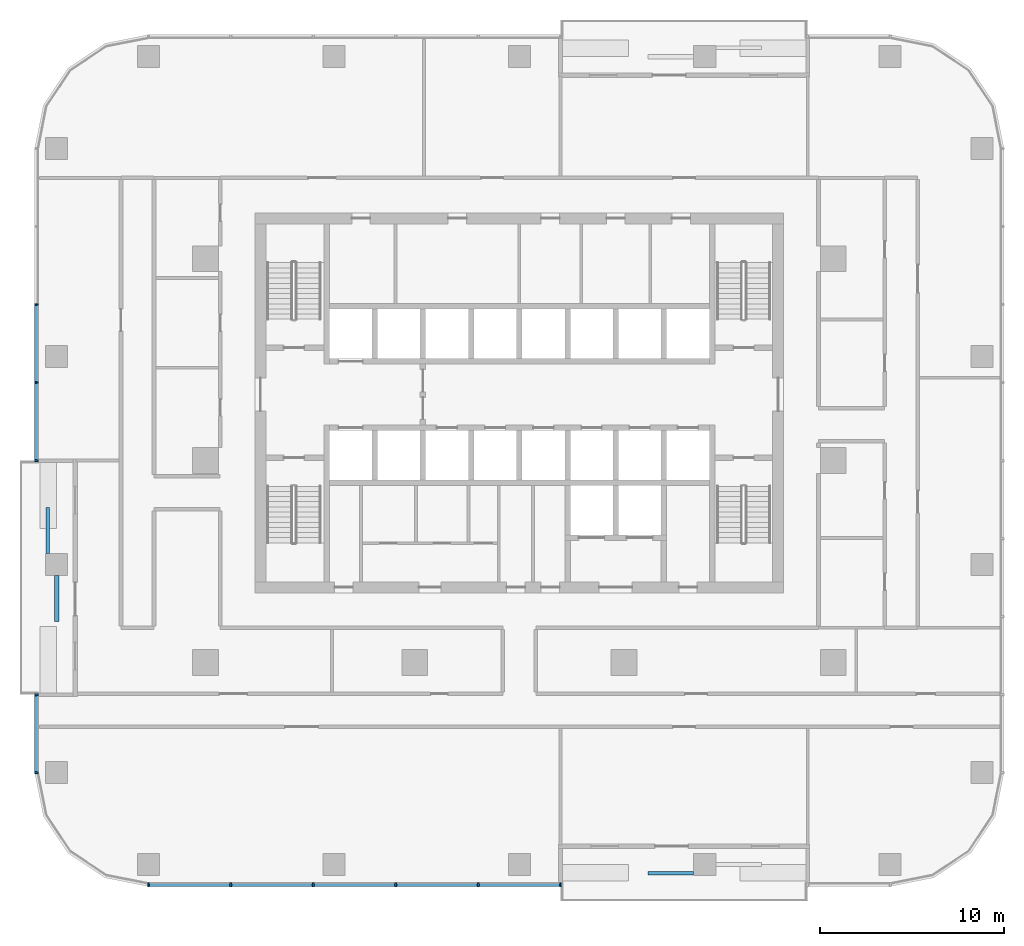
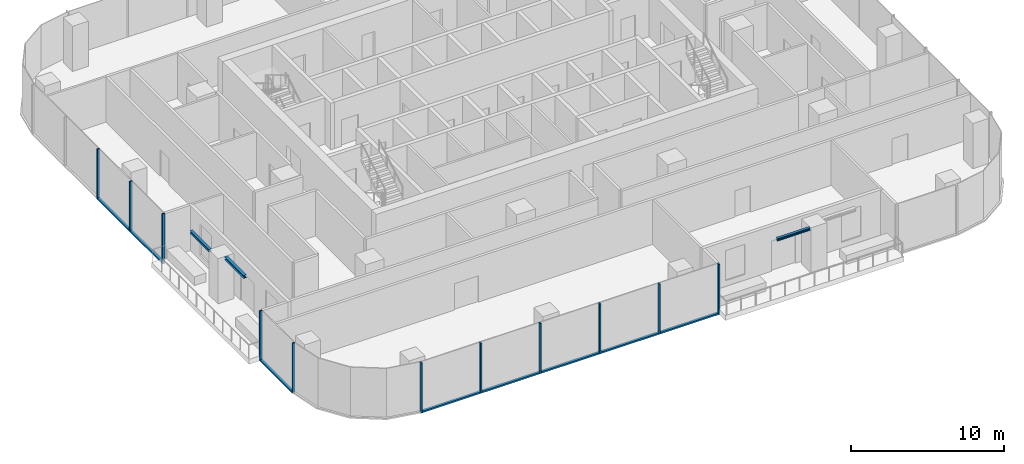
# One storey, part 2 of 14: 19 members, 3 beams, 3 elements without a shape of their own.
"""IFC4 building model written with IfcOpenShell, lengths in metres."""

from ifc_helpers import new_model, si_unit, direction, frame, origin, origin_2d, place, context, subcontext, project, spatial, rectangle, i_section, extrude, material, material_profile, profile_set, type_object, element, aggregate, save


model = new_model("IFC4")

# Units and contexts
model_context = context("Model", 3, precision=1e-05, world=origin(), true_north=direction((0.0, 1.0)))
body_context = subcontext(model_context, "Body", "Model", "MODEL_VIEW")
ifc_project = project(units=[si_unit("LENGTHUNIT", "METRE"), si_unit("AREAUNIT", "SQUARE_METRE"), si_unit("VOLUMEUNIT", "CUBIC_METRE"), si_unit("PLANEANGLEUNIT", "RADIAN"), si_unit("MASSUNIT", "GRAM", prefix="KILO")], contexts=[model_context])

# Site, building, storey
site_placement = place(None, origin())
site = spatial("IfcSite", under=ifc_project, at=site_placement, CompositionType="ELEMENT")
building_placement = place(site_placement, origin())
building = spatial("IfcBuilding", under=site, at=building_placement, Name="Mopane Tessera Tower", CompositionType="ELEMENT")
storey_placement = place(building_placement, frame((0.0, 0.0, 185.0)))
storey = spatial("IfcBuildingStorey", under=building, at=storey_placement, Name="L38", CompositionType="ELEMENT", Elevation=185.0)

# Curtain wall, members
ifc_material_1 = material(Name="Aluminium frame", Category="aluminium")
curtain_wall_type = type_object("IfcCurtainWallType", Name="Unitised curtain wall", PredefinedType="NOTDEFINED", material=ifc_material_1)
curtain_wall_1_placement = place(storey_placement, origin())
curtain_wall_1 = element("IfcCurtainWall", 1, at=curtain_wall_1_placement, inside=storey, type_object=curtain_wall_type, Name="e:cw:L38:S:0", PredefinedType="NOTDEFINED")
ifc_material_2 = material(Name="Aluminium frame", Category="aluminium")
ifc_material_profile_1 = material_profile(ifc_material_2, rectangle(XDim=0.10009765625, YDim=0.199951171875, at=origin_2d()))
ifc_profile_set_1 = profile_set([ifc_material_profile_1], Name="Aluminium frame")
member_type_1 = type_object("IfcMemberType", Name="Aluminium mullion 100 x 200", PredefinedType="MULLION", material=ifc_profile_set_1)
member_1_placement = place(storey_placement, frame((-20.199951171875, -23.10009765625, -0.39990234375), z_axis=(0.0, 0.0, 1.0), x_axis=(1.0, 0.0, 0.0)))
member_1 = element("IfcMember", 2, at=member_1_placement, type_object=member_type_1, Name="e:cw:L38:S:0:mu0", PredefinedType="MULLION", context=body_context, shape_type="SweptSolid", body=[
    extrude(rectangle(XDim=0.10009765625, YDim=0.199951171875, at=origin_2d()), origin(), (0.0, 0.0, 1.0), 4.0),
])
member_2_placement = place(storey_placement, frame((-15.711181640625, -23.10009765625, -0.39990234375), z_axis=(0.0, 0.0, 1.0), x_axis=(1.0, 0.0, 0.0)))
member_2 = element("IfcMember", 3, at=member_2_placement, type_object=member_type_1, Name="e:cw:L38:S:0:mu1", PredefinedType="MULLION", context=body_context, shape_type="SweptSolid", body=[
    extrude(rectangle(XDim=0.10009765625, YDim=0.199951171875, at=origin_2d()), origin(), (0.0, 0.0, 1.0), 4.0),
])
member_3_placement = place(storey_placement, frame((-11.22216796875, -23.10009765625, -0.39990234375), z_axis=(0.0, 0.0, 1.0), x_axis=(1.0, 0.0, 0.0)))
member_3 = element("IfcMember", 4, at=member_3_placement, type_object=member_type_1, Name="e:cw:L38:S:0:mu2", PredefinedType="MULLION", context=body_context, shape_type="SweptSolid", body=[
    extrude(rectangle(XDim=0.10009765625, YDim=0.199951171875, at=origin_2d()), origin(), (0.0, 0.0, 1.0), 4.0),
])
member_4_placement = place(storey_placement, frame((-6.7333984375, -23.10009765625, -0.39990234375), z_axis=(0.0, 0.0, 1.0), x_axis=(1.0, 0.0, 0.0)))
member_4 = element("IfcMember", 5, at=member_4_placement, type_object=member_type_1, Name="e:cw:L38:S:0:mu3", PredefinedType="MULLION", context=body_context, shape_type="SweptSolid", body=[
    extrude(rectangle(XDim=0.10009765625, YDim=0.199951171875, at=origin_2d()), origin(), (0.0, 0.0, 1.0), 4.0),
])
member_5_placement = place(storey_placement, frame((-2.244384765625, -23.10009765625, -0.39990234375), z_axis=(0.0, 0.0, 1.0), x_axis=(1.0, 0.0, 0.0)))
member_5 = element("IfcMember", 6, at=member_5_placement, type_object=member_type_1, Name="e:cw:L38:S:0:mu4", PredefinedType="MULLION", context=body_context, shape_type="SweptSolid", body=[
    extrude(rectangle(XDim=0.10009765625, YDim=0.199951171875, at=origin_2d()), origin(), (0.0, 0.0, 1.0), 4.0),
])
member_6_placement = place(storey_placement, frame((2.244384765625, -23.10009765625, -0.39990234375), z_axis=(0.0, 0.0, 1.0), x_axis=(1.0, 0.0, 0.0)))
member_6 = element("IfcMember", 7, at=member_6_placement, type_object=member_type_1, Name="e:cw:L38:S:0:mu5", PredefinedType="MULLION", context=body_context, shape_type="SweptSolid", body=[
    extrude(rectangle(XDim=0.10009765625, YDim=0.199951171875, at=origin_2d()), origin(), (0.0, 0.0, 1.0), 4.0),
])

curtain_wall_2_placement = place(storey_placement, origin())
curtain_wall_2 = element("IfcCurtainWall", 8, at=curtain_wall_2_placement, inside=storey, type_object=curtain_wall_type, Name="e:cw:L38:W:0", PredefinedType="NOTDEFINED")
member_7_placement = place(storey_placement, frame((-26.300048828125, 8.5, -0.39990234375), z_axis=(0.0, 0.0, 1.0), x_axis=(0.0, -1.0, 0.0)))
member_7 = element("IfcMember", 9, at=member_7_placement, type_object=member_type_1, Name="e:cw:L38:W:0:mu2", PredefinedType="MULLION", context=body_context, shape_type="SweptSolid", body=[
    extrude(rectangle(XDim=0.10009765625, YDim=0.199951171875, at=origin_2d()), origin(), (0.0, 0.0, 1.0), 4.0),
])
member_8_placement = place(storey_placement, frame((-26.300048828125, 4.25, -0.39990234375), z_axis=(0.0, 0.0, 1.0), x_axis=(0.0, -1.0, 0.0)))
member_8 = element("IfcMember", 10, at=member_8_placement, type_object=member_type_1, Name="e:cw:L38:W:0:mu3", PredefinedType="MULLION", context=body_context, shape_type="SweptSolid", body=[
    extrude(rectangle(XDim=0.10009765625, YDim=0.199951171875, at=origin_2d()), origin(), (0.0, 0.0, 1.0), 4.0),
])
member_9_placement = place(storey_placement, frame((-26.300048828125, 0.0, -0.39990234375), z_axis=(0.0, 0.0, 1.0), x_axis=(0.0, -1.0, 0.0)))
member_9 = element("IfcMember", 11, at=member_9_placement, type_object=member_type_1, Name="e:cw:L38:W:0:mu4", PredefinedType="MULLION", context=body_context, shape_type="SweptSolid", body=[
    extrude(rectangle(XDim=0.10009765625, YDim=0.199951171875, at=origin_2d()), origin(), (0.0, 0.0, 1.0), 4.0),
])

curtain_wall_3_placement = place(storey_placement, origin())
curtain_wall_3 = element("IfcCurtainWall", 12, at=curtain_wall_3_placement, inside=storey, type_object=curtain_wall_type, Name="e:cw:L38:W:7", PredefinedType="NOTDEFINED")
member_10_placement = place(storey_placement, frame((-26.300048828125, -12.75, -0.39990234375), z_axis=(0.0, 0.0, 1.0), x_axis=(0.0, -1.0, 0.0)))
member_10 = element("IfcMember", 13, at=member_10_placement, type_object=member_type_1, Name="e:cw:L38:W:7:mu7", PredefinedType="MULLION", context=body_context, shape_type="SweptSolid", body=[
    extrude(rectangle(XDim=0.10009765625, YDim=0.199951171875, at=origin_2d()), origin(), (0.0, 0.0, 1.0), 4.0),
])
member_11_placement = place(storey_placement, frame((-26.300048828125, -17.0, -0.39990234375), z_axis=(0.0, 0.0, 1.0), x_axis=(0.0, -1.0, 0.0)))
member_11 = element("IfcMember", 14, at=member_11_placement, type_object=member_type_1, Name="e:cw:L38:W:7:mu8", PredefinedType="MULLION", context=body_context, shape_type="SweptSolid", body=[
    extrude(rectangle(XDim=0.10009765625, YDim=0.199951171875, at=origin_2d()), origin(), (0.0, 0.0, 1.0), 4.0),
])

# Member
ifc_material_3 = material(Name="Aluminium frame", Category="aluminium")
ifc_material_profile_2 = material_profile(ifc_material_3, rectangle(XDim=0.199951171875, YDim=0.1201171875, at=origin_2d()))
ifc_profile_set_2 = profile_set([ifc_material_profile_2], Name="Aluminium frame")
member_type_2 = type_object("IfcMemberType", Name="Aluminium transom 200 x 120", PredefinedType="USERDEFINED", material=ifc_profile_set_2)
member_12_placement = place(storey_placement, frame((-20.14990234375, -23.10009765625, -0.340087890625), z_axis=(1.0, 0.0, 0.0), x_axis=(0.0, 1.0, 0.0)))
member_12 = element("IfcMember", 15, at=member_12_placement, type_object=member_type_2, Name="e:cw:L38:S:0:tr0", ObjectType="TRANSOM", PredefinedType="USERDEFINED", context=body_context, shape_type="SweptSolid", body=[
    extrude(rectangle(XDim=0.199951171875, YDim=0.1201171875, at=origin_2d()), origin(), (0.0, 0.0, 1.0), 4.388671875),
])

member_13_placement = place(storey_placement, frame((-15.6611328125, -23.10009765625, -0.340087890625), z_axis=(1.0, 0.0, 0.0), x_axis=(0.0, 1.0, 0.0)))
member_13 = element("IfcMember", 16, at=member_13_placement, type_object=member_type_2, Name="e:cw:L38:S:0:tr1", ObjectType="TRANSOM", PredefinedType="USERDEFINED", context=body_context, shape_type="SweptSolid", body=[
    extrude(rectangle(XDim=0.199951171875, YDim=0.1201171875, at=origin_2d()), origin(), (0.0, 0.0, 1.0), 4.388916015625),
])

member_14_placement = place(storey_placement, frame((-11.172119140625, -23.10009765625, -0.340087890625), z_axis=(1.0, 0.0, 0.0), x_axis=(0.0, 1.0, 0.0)))
member_14 = element("IfcMember", 17, at=member_14_placement, type_object=member_type_2, Name="e:cw:L38:S:0:tr2", ObjectType="TRANSOM", PredefinedType="USERDEFINED", context=body_context, shape_type="SweptSolid", body=[
    extrude(rectangle(XDim=0.199951171875, YDim=0.1201171875, at=origin_2d()), origin(), (0.0, 0.0, 1.0), 4.388671875),
])

member_15_placement = place(storey_placement, frame((-6.683349609375, -23.10009765625, -0.340087890625), z_axis=(1.0, 0.0, 0.0), x_axis=(0.0, 1.0, 0.0)))
member_15 = element("IfcMember", 18, at=member_15_placement, type_object=member_type_2, Name="e:cw:L38:S:0:tr3", ObjectType="TRANSOM", PredefinedType="USERDEFINED", context=body_context, shape_type="SweptSolid", body=[
    extrude(rectangle(XDim=0.199951171875, YDim=0.1201171875, at=origin_2d()), origin(), (0.0, 0.0, 1.0), 4.388916015625),
])

member_16_placement = place(storey_placement, frame((-2.1943359375, -23.10009765625, -0.340087890625), z_axis=(1.0, 0.0, 0.0), x_axis=(0.0, 1.0, 0.0)))
member_16 = element("IfcMember", 19, at=member_16_placement, type_object=member_type_2, Name="e:cw:L38:S:0:tr4", ObjectType="TRANSOM", PredefinedType="USERDEFINED", context=body_context, shape_type="SweptSolid", body=[
    extrude(rectangle(XDim=0.199951171875, YDim=0.1201171875, at=origin_2d()), origin(), (0.0, 0.0, 1.0), 4.388671875),
])

aggregate(curtain_wall_1, [member_1, member_2, member_3, member_4, member_5, member_6, member_12, member_13, member_14, member_15, member_16])

member_17_placement = place(storey_placement, frame((-26.300048828125, 8.449951171875, -0.340087890625), z_axis=(0.0, -1.0, 0.0), x_axis=(1.0, 0.0, 0.0)))
member_17 = element("IfcMember", 20, at=member_17_placement, type_object=member_type_2, Name="e:cw:L38:W:0:tr2", ObjectType="TRANSOM", PredefinedType="USERDEFINED", context=body_context, shape_type="SweptSolid", body=[
    extrude(rectangle(XDim=0.199951171875, YDim=0.1201171875, at=origin_2d()), origin(), (0.0, 0.0, 1.0), 4.14990234375),
])

member_18_placement = place(storey_placement, frame((-26.300048828125, 4.199951171875, -0.340087890625), z_axis=(0.0, -1.0, 0.0), x_axis=(1.0, 0.0, 0.0)))
member_18 = element("IfcMember", 21, at=member_18_placement, type_object=member_type_2, Name="e:cw:L38:W:0:tr3", ObjectType="TRANSOM", PredefinedType="USERDEFINED", context=body_context, shape_type="SweptSolid", body=[
    extrude(rectangle(XDim=0.199951171875, YDim=0.1201171875, at=origin_2d()), origin(), (0.0, 0.0, 1.0), 4.14990234375),
])

aggregate(curtain_wall_2, [member_7, member_8, member_9, member_17, member_18])

member_19_placement = place(storey_placement, frame((-26.300048828125, -12.800048828125, -0.340087890625), z_axis=(0.0, -1.0, 0.0), x_axis=(1.0, 0.0, 0.0)))
member_19 = element("IfcMember", 22, at=member_19_placement, type_object=member_type_2, Name="e:cw:L38:W:7:tr7", ObjectType="TRANSOM", PredefinedType="USERDEFINED", context=body_context, shape_type="SweptSolid", body=[
    extrude(rectangle(XDim=0.199951171875, YDim=0.1201171875, at=origin_2d()), origin(), (0.0, 0.0, 1.0), 4.14990234375),
])

aggregate(curtain_wall_3, [member_10, member_11, member_19])

# Beams
ifc_material_4 = material(Name="Structural steel S460", Category="steel")
ifc_material_profile_3 = material_profile(ifc_material_4, i_section(OverallWidth=0.239990234375, OverallDepth=0.239990234375, WebThickness=0.010009765625, FlangeThickness=0.01708984375, FilletRadius=0.02099609375, at=origin_2d()))
ifc_profile_set_3 = profile_set([ifc_material_profile_3], Name="Structural steel S460")
beam_type_1 = type_object("IfcBeamType", Name="Terrace spandrel beam HE 240 B", PredefinedType="SPANDREL", material=ifc_profile_set_3)
beam_placement = place(storey_placement, frame((-25.199951171875, -6.269775390625, 3.47998046875), z_axis=(0.0, -1.0, 0.0), x_axis=(1.0, 0.0, 0.0)))
element("IfcBeam", 23, at=beam_placement, inside=storey, type_object=beam_type_1, Name="Terrace spandrel beam N1 L39", PredefinedType="SPANDREL", context=body_context, shape_type="SweptSolid", body=[
    extrude(i_section(OverallWidth=0.239990234375, OverallDepth=0.239990234375, WebThickness=0.010009765625, FlangeThickness=0.01708984375, FilletRadius=0.02099609375, at=origin_2d()), origin(), (0.0, 0.0, 1.0), 2.5),
])
ifc_material_5 = material(Name="Structural steel S460", Category="steel")
ifc_material_profile_4 = material_profile(ifc_material_5, i_section(OverallWidth=0.199951171875, OverallDepth=0.199951171875, WebThickness=0.009033203125, FlangeThickness=0.014892578125, FilletRadius=0.01806640625, at=origin_2d()))
ifc_profile_set_4 = profile_set([ifc_material_profile_4], Name="Structural steel S460")
beam_type_2 = type_object("IfcBeamType", Name="Terrace trimmer beam HE 200 B", PredefinedType="BEAM", material=ifc_profile_set_4)
for number, where, z_axis, x_axis, name in (
    (24, (-25.679931640625, -5.063720703125, 3.5), (0.0, 1.0, 0.0), (-1.0, 0.0, 0.0), "Terrace trimmer beam N1 L39"),
    (25, (9.4970703125, -22.47998046875, 3.5), (-1.0, 0.0, 0.0), (0.0, -1.0, 0.0), "Terrace trimmer beam N2 L39"),
):
    element("IfcBeam", number, at=place(storey_placement, frame(where, z_axis=z_axis, x_axis=x_axis)), inside=storey, type_object=beam_type_2, Name=name, PredefinedType="BEAM", context=body_context, shape_type="SweptSolid", body=[
        extrude(i_section(OverallWidth=0.199951171875, OverallDepth=0.199951171875, WebThickness=0.009033203125, FlangeThickness=0.014892578125, FilletRadius=0.01806640625, at=origin_2d()), origin(), (0.0, 0.0, 1.0), 2.5),
    ])

save(model, "model.ifc")
